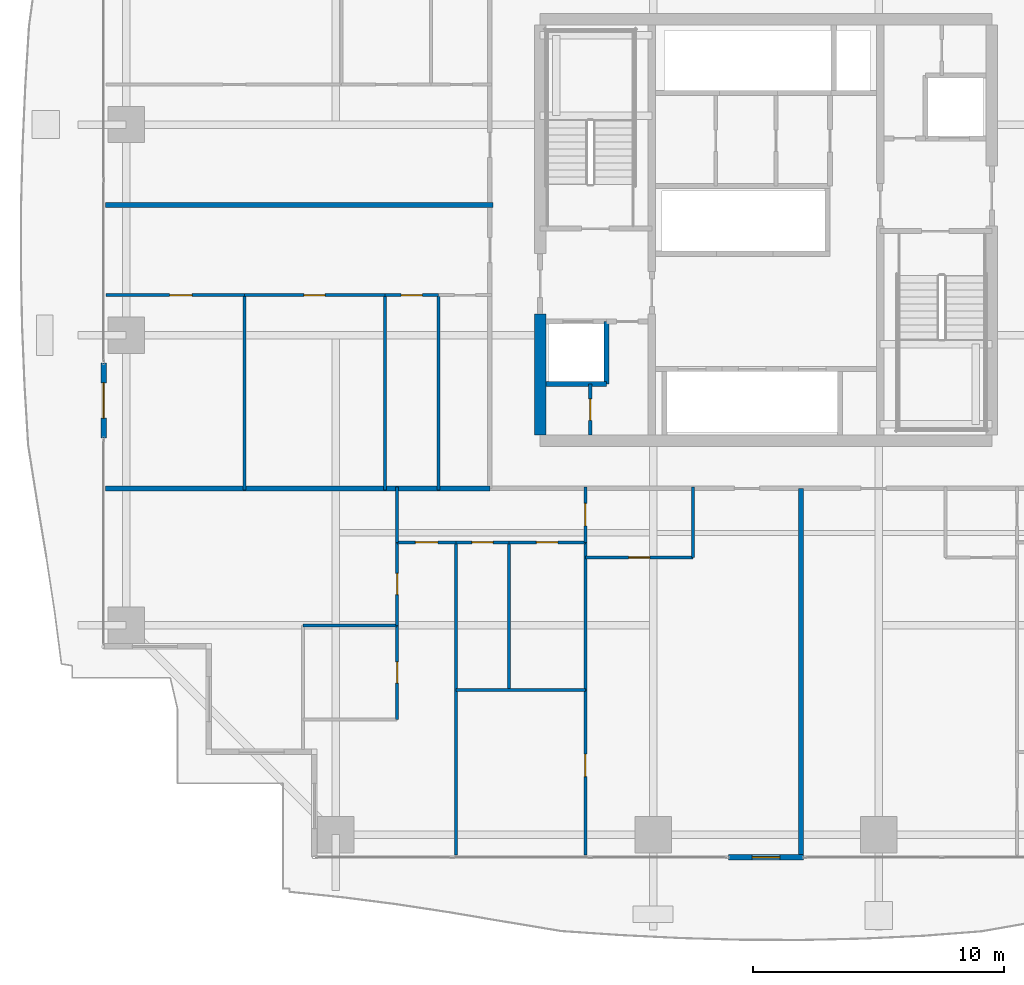
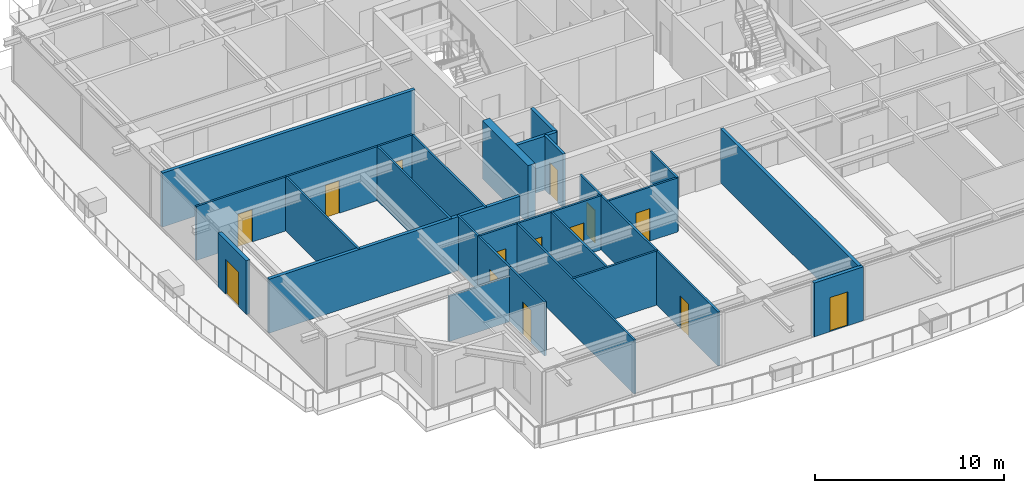
# One storey, part 26 of 39: 30 walls, 14 doors, 14 openings.
"""IFC4 building model written with IfcOpenShell, lengths in metres."""

from ifc_helpers import new_model, si_unit, direction, frame, frame_2d, origin, place, context, subcontext, project, spatial, rectangle, extrude, source, transform, mapped, material, layer, layer_set, type_object, element, fill, save


model = new_model("IFC4")

# Units and contexts
model_context = context("Model", 3, precision=1e-05, world=origin(), true_north=direction((0.0, 1.0)))
body_context = subcontext(model_context, "Body", "Model", "MODEL_VIEW")
ifc_project = project(units=[si_unit("LENGTHUNIT", "METRE"), si_unit("AREAUNIT", "SQUARE_METRE"), si_unit("VOLUMEUNIT", "CUBIC_METRE"), si_unit("PLANEANGLEUNIT", "RADIAN"), si_unit("MASSUNIT", "GRAM", prefix="KILO")], contexts=[model_context])

# Site, building, storey
site_placement = place(None, origin())
site = spatial("IfcSite", under=ifc_project, at=site_placement, CompositionType="ELEMENT")
building_placement = place(site_placement, origin())
building = spatial("IfcBuilding", under=site, at=building_placement, Name="Serunith Strait Residences", CompositionType="ELEMENT")
storey_placement = place(building_placement, frame((0.0, 0.0, 60.449951171875)))
storey = spatial("IfcBuildingStorey", under=building, at=storey_placement, Name="L14", CompositionType="ELEMENT", Elevation=60.449951171875)

# Wall, opening, door
ifc_material_1 = material(Name="Pale-Champagne Aluminium Insulated Panel", Category="aluminium")
ifc_layer_1 = layer(ifc_material_1, 0.219970703125, Name="Pale-Champagne Aluminium Insulated Panel")
ifc_layer_set_1 = layer_set([ifc_layer_1], Name="Pale-Champagne Aluminium Insulated Panel")
wall_type_1 = type_object("IfcWallType", Name="EW-ALUM-220", PredefinedType="ELEMENTEDWALL", material=ifc_layer_set_1)
wall_1_placement = place(storey_placement, frame((30.89990234375, 0.199951171875, 0.0), z_axis=(0.0, 0.0, 1.0), x_axis=(1.0, 0.0, 0.0)))
wall_1 = element("IfcWall", 1, at=wall_1_placement, inside=storey, type_object=wall_type_1, Name="L14 S Facade Pier Wall", PredefinedType="ELEMENTEDWALL", context=body_context, shape_type="SweptSolid", body=[
    extrude(rectangle(XDim=3.0, YDim=0.219970703125, at=frame_2d((1.5, 0.0))), origin(), (0.0, 0.0, 1.0), 3.47509765625),
])
opening_1_placement = place(wall_1_placement, frame((0.949951171875, 0.0, 0.0)))
opening_1 = element("IfcOpeningElement", 2, at=opening_1_placement, cuts=wall_1, Name="Opening ED-03", PredefinedType="OPENING", context=body_context, shape_type="SweptSolid", body=[
    extrude(rectangle(XDim=1.10009765625, YDim=2.199951171875, at=frame_2d((0.550048828125, 1.10009765625))), frame((0.0, 0.1201171875, 0.0), z_axis=(0.0, -1.0, 0.0), x_axis=(1.0, 0.0, 0.0)), (0.0, 0.0, 1.0), 0.239990234375),
])
ifc_material_2 = material(Name="Thermally-Broken Aluminium Glazed Balcony Door", Category="aluminium")
door_type_1 = type_object("IfcDoorType", Name="ED-BALC-1100", OperationType="NOTDEFINED", PredefinedType="DOOR", material=ifc_material_2)
shared_shape_1 = source(origin(), body_context, "Body", "SweptSolid", [
    extrude(rectangle(XDim=1.10009765625, YDim=2.199951171875, at=frame_2d((0.550048828125, 1.10009765625))), frame((0.0, 0.02490234375, 0.0), z_axis=(0.0, -1.0, 0.0), x_axis=(1.0, 0.0, 0.0)), (0.0, 0.0, 1.0), 0.050048828125),
])
door_1_placement = place(opening_1_placement, origin())
door_1 = element("IfcDoor", 3, at=door_1_placement, inside=storey, type_object=door_type_1, Name="L14 S Vertical-Forest Balcony Door", OperationType="SINGLE_SWING_LEFT", OverallHeight=2.199951171875, OverallWidth=1.10009765625, PredefinedType="DOOR", context=body_context, shape_type="MappedRepresentation", body=[
    mapped(shared_shape_1, transform((0.0, 0.0, 0.0), scale=1.0)),
])
fill(opening_1, door_1)

wall_2_placement = place(storey_placement, frame((6.0, 19.89990234375, 0.0), z_axis=(0.0, 0.0, 1.0), x_axis=(0.0, -1.0, 0.0)))
wall_2 = element("IfcWall", 4, at=wall_2_placement, inside=storey, type_object=wall_type_1, Name="L14 W Facade Pier Wall", PredefinedType="ELEMENTEDWALL", context=body_context, shape_type="SweptSolid", body=[
    extrude(rectangle(XDim=3.0, YDim=0.219970703125, at=frame_2d((1.5, 0.0))), origin(), (0.0, 0.0, 1.0), 3.47509765625),
])
opening_2_placement = place(wall_2_placement, frame((0.800048828125, 0.0, 0.0)))
opening_2 = element("IfcOpeningElement", 5, at=opening_2_placement, cuts=wall_2, Name="Opening ED-04", PredefinedType="OPENING", context=body_context, shape_type="SweptSolid", body=[
    extrude(rectangle(XDim=1.39990234375, YDim=2.25, at=frame_2d((0.699951171875, 1.125))), frame((0.0, 0.1201171875, 0.0), z_axis=(0.0, -1.0, 0.0), x_axis=(1.0, 0.0, 0.0)), (0.0, 0.0, 1.0), 0.239990234375),
])
ifc_material_3 = material(Name="Thermally-Broken Aluminium Sliding Balcony Door", Category="aluminium")
door_type_2 = type_object("IfcDoorType", Name="ED-BALC-1400", OperationType="NOTDEFINED", PredefinedType="DOOR", material=ifc_material_3)
shared_shape_2 = source(origin(), body_context, "Body", "SweptSolid", [
    extrude(rectangle(XDim=1.39990234375, YDim=2.25, at=frame_2d((0.699951171875, 1.125))), frame((0.0, 0.02490234375, 0.0), z_axis=(0.0, -1.0, 0.0), x_axis=(1.0, 0.0, 0.0)), (0.0, 0.0, 1.0), 0.050048828125),
])
door_2_placement = place(opening_2_placement, origin())
door_2 = element("IfcDoor", 6, at=door_2_placement, inside=storey, type_object=door_type_2, Name="L14 W Vertical-Forest Balcony Door", OperationType="SLIDING_TO_LEFT", OverallHeight=2.25, OverallWidth=1.39990234375, PredefinedType="DOOR", context=body_context, shape_type="MappedRepresentation", body=[
    mapped(shared_shape_2, transform((0.0, 0.0, 0.0), scale=1.0)),
])
fill(opening_2, door_2)

ifc_material_4 = material(Name="Fire-rated masonry service closet wall", Category="masonry")
ifc_layer_2 = layer(ifc_material_4, 0.14990234375, Name="Fire-rated masonry service closet wall")
ifc_layer_set_2 = layer_set([ifc_layer_2], Name="Fire-rated masonry service closet wall")
wall_type_2 = type_object("IfcWallType", Name="IW-BOH-150", PredefinedType="PARTITIONING", material=ifc_layer_set_2)
wall_3_placement = place(storey_placement, frame((25.39990234375, 17.02490234375, 0.0), z_axis=(0.0, 0.0, 1.0), x_axis=(0.0, 1.0, 0.0)))
wall_3 = element("IfcWall", 7, at=wall_3_placement, inside=storey, type_object=wall_type_2, Name="L14 Partition Wall 012", PredefinedType="PARTITIONING", context=body_context, shape_type="SweptSolid", body=[
    extrude(rectangle(XDim=2.025146484375, YDim=0.14990234375, at=frame_2d((1.0126953125, 0.0))), origin(), (0.0, 0.0, 1.0), 3.489990234375),
])
opening_3_placement = place(wall_3_placement, frame((0.587890625, 0.0, 0.0)))
opening_3 = element("IfcOpeningElement", 8, at=opening_3_placement, cuts=wall_3, Name="Opening FD-850", PredefinedType="OPENING", context=body_context, shape_type="SweptSolid", body=[
    extrude(rectangle(XDim=0.85009765625, YDim=2.10009765625, at=frame_2d((0.425048828125, 1.050048828125))), frame((0.0, 0.0849609375, 0.0), z_axis=(0.0, -1.0, 0.0), x_axis=(1.0, 0.0, 0.0)), (0.0, 0.0, 1.0), 0.169921875),
])
ifc_material_5 = material(Name="Powder-coated steel service closet door", Category="steel")
door_type_3 = type_object("IfcDoorType", Name="FD-BOH-850", OperationType="NOTDEFINED", PredefinedType="DOOR", material=ifc_material_5)
shared_shape_3 = source(origin(), body_context, "Body", "SweptSolid", [
    extrude(rectangle(XDim=0.85009765625, YDim=2.10009765625, at=frame_2d((0.425048828125, 1.050048828125))), frame((0.0, 0.02490234375, 0.0), z_axis=(0.0, -1.0, 0.0), x_axis=(1.0, 0.0, 0.0)), (0.0, 0.0, 1.0), 0.050048828125),
])
door_3_placement = place(opening_3_placement, origin())
door_3 = element("IfcDoor", 9, at=door_3_placement, inside=storey, type_object=door_type_3, Name="L14 Sprinkler Plant Door", OperationType="SINGLE_SWING_LEFT", OverallHeight=2.10009765625, OverallWidth=0.85009765625, PredefinedType="DOOR", context=body_context, shape_type="MappedRepresentation", body=[
    mapped(shared_shape_3, transform((0.0, 0.0, 0.0), scale=1.0)),
])
fill(opening_3, door_3)

ifc_material_6 = material(Name="Lightweight steel-stud gypsum partition", Category="steel")
ifc_layer_3 = layer(ifc_material_6, 0.1201171875, Name="Lightweight steel-stud gypsum partition")
ifc_layer_set_3 = layer_set([ifc_layer_3], Name="Lightweight steel-stud gypsum partition")
wall_type_3 = type_object("IfcWallType", Name="IW-PART-120", PredefinedType="PARTITIONING", material=ifc_layer_set_3)
wall_4_placement = place(storey_placement, frame((25.199951171875, 12.14990234375, 0.0), z_axis=(0.0, 0.0, 1.0), x_axis=(1.0, 0.0, 0.0)))
wall_4 = element("IfcWall", 10, at=wall_4_placement, inside=storey, type_object=wall_type_3, Name="L14 Partition Wall 030", PredefinedType="PARTITIONING", context=body_context, shape_type="SweptSolid", body=[
    extrude(rectangle(XDim=4.300048828125, YDim=0.1201171875, at=frame_2d((2.14990234375, 0.0))), origin(), (0.0, 0.0, 1.0), 3.489990234375),
])
opening_4_placement = place(wall_4_placement, frame((1.72509765625, 0.0, 0.0)))
opening_4 = element("IfcOpeningElement", 11, at=opening_4_placement, cuts=wall_4, Name="Opening D-RM850", PredefinedType="OPENING", context=body_context, shape_type="SweptSolid", body=[
    extrude(rectangle(XDim=0.85009765625, YDim=2.10009765625, at=frame_2d((0.425048828125, 1.050048828125))), frame((0.0, 0.070068359375, 0.0), z_axis=(0.0, -1.0, 0.0), x_axis=(1.0, 0.0, 0.0)), (0.0, 0.0, 1.0), 0.14013671875),
])
ifc_material_7 = material(Name="Engineered timber flush study and kitchen door", Category="wood")
door_type_4 = type_object("IfcDoorType", Name="ID-ROOM-850", OperationType="NOTDEFINED", PredefinedType="DOOR", material=ifc_material_7)
door_4_placement = place(opening_4_placement, origin())
door_4 = element("IfcDoor", 12, at=door_4_placement, inside=storey, type_object=door_type_4, Name="L14 Kitchen 1401 Door", OperationType="SINGLE_SWING_LEFT", OverallHeight=2.10009765625, OverallWidth=0.85009765625, PredefinedType="DOOR", context=body_context, shape_type="MappedRepresentation", body=[
    mapped(shared_shape_3, transform((0.0, 0.0, 0.0), scale=1.0)),
])
fill(opening_4, door_4)

# Wall
wall_5_placement = place(storey_placement, frame((29.5, 12.14990234375, 0.0), z_axis=(0.0, 0.0, 1.0), x_axis=(0.0, 1.0, 0.0)))
element("IfcWall", 13, at=wall_5_placement, inside=storey, type_object=wall_type_3, Name="L14 Partition Wall 031", PredefinedType="PARTITIONING", context=body_context, shape_type="SweptSolid", body=[
    extrude(rectangle(XDim=2.81005859375, YDim=0.1201171875, at=frame_2d((1.405029296875, 0.0))), origin(), (0.0, 0.0, 1.0), 3.489990234375),
])

# Wall, opening, door
wall_6_placement = place(storey_placement, frame((25.199951171875, 12.75, 0.0), z_axis=(0.0, 0.0, 1.0), x_axis=(0.0, 1.0, 0.0)))
wall_6 = element("IfcWall", 14, at=wall_6_placement, inside=storey, type_object=wall_type_3, Name="L14 Partition Wall 032", PredefinedType="PARTITIONING", context=body_context, shape_type="SweptSolid", body=[
    extrude(rectangle(XDim=2.2099609375, YDim=0.1201171875, at=frame_2d((1.10498046875, 0.0))), origin(), (0.0, 0.0, 1.0), 3.489990234375),
])
opening_5_placement = place(wall_6_placement, frame((0.655029296875, 0.0, 0.0)))
opening_5 = element("IfcOpeningElement", 15, at=opening_5_placement, cuts=wall_6, Name="Opening D-RM900", PredefinedType="OPENING", context=body_context, shape_type="SweptSolid", body=[
    extrude(rectangle(XDim=0.89990234375, YDim=2.10009765625, at=frame_2d((0.449951171875, 1.050048828125))), frame((0.0, 0.070068359375, 0.0), z_axis=(0.0, -1.0, 0.0), x_axis=(1.0, 0.0, 0.0)), (0.0, 0.0, 1.0), 0.14013671875),
])
ifc_material_8 = material(Name="Engineered timber flush bedroom door", Category="wood")
door_type_5 = type_object("IfcDoorType", Name="ID-ROOM-900", OperationType="NOTDEFINED", PredefinedType="DOOR", material=ifc_material_8)
shared_shape_4 = source(origin(), body_context, "Body", "SweptSolid", [
    extrude(rectangle(XDim=0.89990234375, YDim=2.10009765625, at=frame_2d((0.449951171875, 1.050048828125))), frame((0.0, 0.02490234375, 0.0), z_axis=(0.0, -1.0, 0.0), x_axis=(1.0, 0.0, 0.0)), (0.0, 0.0, 1.0), 0.050048828125),
])
door_5_placement = place(opening_5_placement, origin())
door_5 = element("IfcDoor", 16, at=door_5_placement, inside=storey, type_object=door_type_5, Name="L14 Hall W 1401 Door", OperationType="SINGLE_SWING_RIGHT", OverallHeight=2.10009765625, OverallWidth=0.89990234375, PredefinedType="DOOR", context=body_context, shape_type="MappedRepresentation", body=[
    mapped(shared_shape_4, transform((0.0, 0.0, 0.0), scale=1.0)),
])
fill(opening_5, door_5)

wall_7_placement = place(storey_placement, frame((25.199951171875, 0.294921875, 0.0), z_axis=(0.0, 0.0, 1.0), x_axis=(0.0, 1.0, 0.0)))
wall_7 = element("IfcWall", 17, at=wall_7_placement, inside=storey, type_object=wall_type_3, Name="L14 Partition Wall 033", PredefinedType="PARTITIONING", context=body_context, shape_type="SweptSolid", body=[
    extrude(rectangle(XDim=6.565185546875, YDim=0.1201171875, at=frame_2d((3.28271484375, 0.0))), origin(), (0.0, 0.0, 1.0), 3.489990234375),
])
opening_6_placement = place(wall_7_placement, frame((3.115966796875, 0.0, 0.0)))
opening_6 = element("IfcOpeningElement", 18, at=opening_6_placement, cuts=wall_7, Name="Opening D-RM900", PredefinedType="OPENING", context=body_context, shape_type="SweptSolid", body=[
    extrude(rectangle(XDim=0.89990234375, YDim=2.10009765625, at=frame_2d((0.449951171875, 1.050048828125))), frame((0.0, 0.070068359375, 0.0), z_axis=(0.0, -1.0, 0.0), x_axis=(1.0, 0.0, 0.0)), (0.0, 0.0, 1.0), 0.14013671875),
])
door_6_placement = place(opening_6_placement, origin())
door_6 = element("IfcDoor", 19, at=door_6_placement, inside=storey, type_object=door_type_5, Name="L14 Formal Dining Room 1 1401 Door", OperationType="SINGLE_SWING_LEFT", OverallHeight=2.10009765625, OverallWidth=0.89990234375, PredefinedType="DOOR", context=body_context, shape_type="MappedRepresentation", body=[
    mapped(shared_shape_4, transform((0.0, 0.0, 0.0), scale=1.0)),
])
fill(opening_6, door_6)

# Walls
wall_8_placement = place(storey_placement, frame((25.199951171875, 6.862060546875, 0.0), z_axis=(0.0, 0.0, 1.0), x_axis=(0.0, 1.0, 0.0)))
element("IfcWall", 20, at=wall_8_placement, inside=storey, type_object=wall_type_3, Name="L14 Partition Wall 034", PredefinedType="PARTITIONING", context=body_context, shape_type="SweptSolid", body=[
    extrude(rectangle(XDim=5.885986328125, YDim=0.1201171875, at=frame_2d((2.94287109375, 0.0))), origin(), (0.0, 0.0, 1.0), 3.489990234375),
])
wall_9_placement = place(storey_placement, frame((20.050048828125, 6.860107421875, 0.0), z_axis=(0.0, 0.0, 1.0), x_axis=(1.0, 0.0, 0.0)))
element("IfcWall", 21, at=wall_9_placement, inside=storey, type_object=wall_type_3, Name="L14 Partition Wall 035", PredefinedType="PARTITIONING", context=body_context, shape_type="SweptSolid", body=[
    extrude(rectangle(XDim=5.14990234375, YDim=0.1201171875, at=frame_2d((2.574951171875, 0.0))), origin(), (0.0, 0.0, 1.0), 3.489990234375),
])
wall_10_placement = place(storey_placement, frame((20.050048828125, 0.294921875, 0.0), z_axis=(0.0, 0.0, 1.0), x_axis=(0.0, 1.0, 0.0)))
element("IfcWall", 22, at=wall_10_placement, inside=storey, type_object=wall_type_3, Name="L14 Partition Wall 036", PredefinedType="PARTITIONING", context=body_context, shape_type="SweptSolid", body=[
    extrude(rectangle(XDim=12.455078125, YDim=0.1201171875, at=frame_2d((6.2275390625, 0.0))), origin(), (0.0, 0.0, 1.0), 3.489990234375),
])
wall_11_placement = place(storey_placement, frame((22.14990234375, 6.860107421875, 0.0), z_axis=(0.0, 0.0, 1.0), x_axis=(0.0, 1.0, 0.0)))
element("IfcWall", 23, at=wall_11_placement, inside=storey, type_object=wall_type_3, Name="L14 Partition Wall 037", PredefinedType="PARTITIONING", context=body_context, shape_type="SweptSolid", body=[
    extrude(rectangle(XDim=5.889892578125, YDim=0.1201171875, at=frame_2d((2.94482421875, 0.0))), origin(), (0.0, 0.0, 1.0), 3.489990234375),
])

# Wall, opening, door
wall_12_placement = place(storey_placement, frame((20.050048828125, 12.75, 0.0), z_axis=(0.0, 0.0, 1.0), x_axis=(1.0, 0.0, 0.0)))
wall_12 = element("IfcWall", 24, at=wall_12_placement, inside=storey, type_object=wall_type_3, Name="L14 Partition Wall 038", PredefinedType="PARTITIONING", context=body_context, shape_type="SweptSolid", body=[
    extrude(rectangle(XDim=2.099853515625, YDim=0.1201171875, at=frame_2d((1.0498046875, 0.0))), origin(), (0.0, 0.0, 1.0), 3.489990234375),
])
opening_7_placement = place(wall_12_placement, frame((0.625, 0.0, 0.0)))
opening_7 = element("IfcOpeningElement", 25, at=opening_7_placement, cuts=wall_12, Name="Opening D-BTH850", PredefinedType="OPENING", context=body_context, shape_type="SweptSolid", body=[
    extrude(rectangle(XDim=0.85009765625, YDim=2.10009765625, at=frame_2d((0.425048828125, 1.050048828125))), frame((0.0, 0.070068359375, 0.0), z_axis=(0.0, -1.0, 0.0), x_axis=(1.0, 0.0, 0.0)), (0.0, 0.0, 1.0), 0.14013671875),
])
ifc_material_9 = material(Name="Moisture-resistant timber bathroom door", Category="wood")
door_type_6 = type_object("IfcDoorType", Name="ID-BATH-850", OperationType="NOTDEFINED", PredefinedType="DOOR", material=ifc_material_9)
door_7_placement = place(opening_7_placement, origin())
door_7 = element("IfcDoor", 26, at=door_7_placement, inside=storey, type_object=door_type_6, Name="L14 Bathroom 1401 Door", OperationType="SINGLE_SWING_RIGHT", OverallHeight=2.10009765625, OverallWidth=0.85009765625, PredefinedType="DOOR", context=body_context, shape_type="MappedRepresentation", body=[
    mapped(shared_shape_3, transform((0.0, 0.0, 0.0), scale=1.0)),
])
fill(opening_7, door_7)

wall_13_placement = place(storey_placement, frame((22.152099609375, 12.75, 0.0), z_axis=(0.0, 0.0, 1.0), x_axis=(1.0, 0.0, 0.0)))
wall_13 = element("IfcWall", 27, at=wall_13_placement, inside=storey, type_object=wall_type_3, Name="L14 Partition Wall 039", PredefinedType="PARTITIONING", context=body_context, shape_type="SweptSolid", body=[
    extrude(rectangle(XDim=3.0478515625, YDim=0.1201171875, at=frame_2d((1.52392578125, 0.0))), origin(), (0.0, 0.0, 1.0), 3.489990234375),
])
opening_8_placement = place(wall_13_placement, frame((1.09912109375, 0.0, 0.0)))
opening_8 = element("IfcOpeningElement", 28, at=opening_8_placement, cuts=wall_13, Name="Opening D-RM850", PredefinedType="OPENING", context=body_context, shape_type="SweptSolid", body=[
    extrude(rectangle(XDim=0.85009765625, YDim=2.10009765625, at=frame_2d((0.425048828125, 1.050048828125))), frame((0.0, 0.070068359375, 0.0), z_axis=(0.0, -1.0, 0.0), x_axis=(1.0, 0.0, 0.0)), (0.0, 0.0, 1.0), 0.14013671875),
])
door_8_placement = place(opening_8_placement, origin())
door_8 = element("IfcDoor", 29, at=door_8_placement, inside=storey, type_object=door_type_4, Name="L14 Formal Dining Room 1401 Door", OperationType="SINGLE_SWING_LEFT", OverallHeight=2.10009765625, OverallWidth=0.85009765625, PredefinedType="DOOR", context=body_context, shape_type="MappedRepresentation", body=[
    mapped(shared_shape_3, transform((0.0, 0.0, 0.0), scale=1.0)),
])
fill(opening_8, door_8)

wall_14_placement = place(storey_placement, frame((17.699951171875, 12.75, 0.0), z_axis=(0.0, 0.0, 1.0), x_axis=(1.0, 0.0, 0.0)))
wall_14 = element("IfcWall", 30, at=wall_14_placement, inside=storey, type_object=wall_type_3, Name="L14 Partition Wall 040", PredefinedType="PARTITIONING", context=body_context, shape_type="SweptSolid", body=[
    extrude(rectangle(XDim=2.34814453125, YDim=0.1201171875, at=frame_2d((1.174072265625, 0.0))), origin(), (0.0, 0.0, 1.0), 3.489990234375),
])
opening_9_placement = place(wall_14_placement, frame((0.72412109375, 0.0, 0.0)))
opening_9 = element("IfcOpeningElement", 31, at=opening_9_placement, cuts=wall_14, Name="Opening D-RM900", PredefinedType="OPENING", context=body_context, shape_type="SweptSolid", body=[
    extrude(rectangle(XDim=0.89990234375, YDim=2.10009765625, at=frame_2d((0.449951171875, 1.050048828125))), frame((0.0, 0.070068359375, 0.0), z_axis=(0.0, -1.0, 0.0), x_axis=(1.0, 0.0, 0.0)), (0.0, 0.0, 1.0), 0.14013671875),
])
door_9_placement = place(opening_9_placement, origin())
door_9 = element("IfcDoor", 32, at=door_9_placement, inside=storey, type_object=door_type_5, Name="L14 Master Bedroom W 1401 Door", OperationType="SINGLE_SWING_RIGHT", OverallHeight=2.10009765625, OverallWidth=0.89990234375, PredefinedType="DOOR", context=body_context, shape_type="MappedRepresentation", body=[
    mapped(shared_shape_4, transform((0.0, 0.0, 0.0), scale=1.0)),
])
fill(opening_9, door_9)

# Wall
wall_15_placement = place(storey_placement, frame((13.949951171875, 9.426025390625, 0.0), z_axis=(0.0, 0.0, 1.0), x_axis=(1.0, 0.0, 0.0)))
element("IfcWall", 33, at=wall_15_placement, inside=storey, type_object=wall_type_3, Name="L14 Partition Wall 043", PredefinedType="PARTITIONING", context=body_context, shape_type="SweptSolid", body=[
    extrude(rectangle(XDim=3.75, YDim=0.1201171875, at=frame_2d((1.875, 0.0))), origin(), (0.0, 0.0, 1.0), 2.922119140625),
])

# Wall, opening, door
wall_16_placement = place(storey_placement, frame((17.699951171875, 5.693115234375, 0.0), z_axis=(0.0, 0.0, 1.0), x_axis=(0.0, 1.0, 0.0)))
wall_16 = element("IfcWall", 34, at=wall_16_placement, inside=storey, type_object=wall_type_3, Name="L14 Partition Wall 044", PredefinedType="PARTITIONING", context=body_context, shape_type="SweptSolid", body=[
    extrude(rectangle(XDim=3.73291015625, YDim=0.1201171875, at=frame_2d((1.866455078125, 0.0))), origin(), (0.0, 0.0, 1.0), 3.489990234375),
])
opening_10_placement = place(wall_16_placement, frame((1.44189453125, 0.0, 0.0)))
opening_10 = element("IfcOpeningElement", 35, at=opening_10_placement, cuts=wall_16, Name="Opening D-BTH850", PredefinedType="OPENING", context=body_context, shape_type="SweptSolid", body=[
    extrude(rectangle(XDim=0.85009765625, YDim=2.10009765625, at=frame_2d((0.425048828125, 1.050048828125))), frame((0.0, 0.070068359375, 0.0), z_axis=(0.0, -1.0, 0.0), x_axis=(1.0, 0.0, 0.0)), (0.0, 0.0, 1.0), 0.14013671875),
])
door_10_placement = place(opening_10_placement, origin())
door_10 = element("IfcDoor", 36, at=door_10_placement, inside=storey, type_object=door_type_6, Name="L14 En-suite Bathroom W 1401 Door", OperationType="SINGLE_SWING_LEFT", OverallHeight=2.10009765625, OverallWidth=0.85009765625, PredefinedType="DOOR", context=body_context, shape_type="MappedRepresentation", body=[
    mapped(shared_shape_3, transform((0.0, 0.0, 0.0), scale=1.0)),
])
fill(opening_10, door_10)

wall_17_placement = place(storey_placement, frame((17.699951171875, 9.427978515625, 0.0), z_axis=(0.0, 0.0, 1.0), x_axis=(0.0, 1.0, 0.0)))
wall_17 = element("IfcWall", 37, at=wall_17_placement, inside=storey, type_object=wall_type_3, Name="L14 Partition Wall 045", PredefinedType="PARTITIONING", context=body_context, shape_type="SweptSolid", body=[
    extrude(rectangle(XDim=3.322021484375, YDim=0.1201171875, at=frame_2d((1.6611328125, 0.0))), origin(), (0.0, 0.0, 1.0), 3.489990234375),
])
opening_11_placement = place(wall_17_placement, frame((1.236083984375, 0.0, 0.0)))
opening_11 = element("IfcOpeningElement", 38, at=opening_11_placement, cuts=wall_17, Name="Opening D-RM850", PredefinedType="OPENING", context=body_context, shape_type="SweptSolid", body=[
    extrude(rectangle(XDim=0.85009765625, YDim=2.10009765625, at=frame_2d((0.425048828125, 1.050048828125))), frame((0.0, 0.070068359375, 0.0), z_axis=(0.0, -1.0, 0.0), x_axis=(1.0, 0.0, 0.0)), (0.0, 0.0, 1.0), 0.14013671875),
])
door_11_placement = place(opening_11_placement, origin())
door_11 = element("IfcDoor", 39, at=door_11_placement, inside=storey, type_object=door_type_4, Name="L14 Wardrobe W 1401 Door", OperationType="SINGLE_SWING_RIGHT", OverallHeight=2.10009765625, OverallWidth=0.85009765625, PredefinedType="DOOR", context=body_context, shape_type="MappedRepresentation", body=[
    mapped(shared_shape_3, transform((0.0, 0.0, 0.0), scale=1.0)),
])
fill(opening_11, door_11)

# Wall
wall_18_placement = place(storey_placement, frame((17.699951171875, 12.751953125, 0.0), z_axis=(0.0, 0.0, 1.0), x_axis=(0.0, 1.0, 0.0)))
element("IfcWall", 40, at=wall_18_placement, inside=storey, type_object=wall_type_3, Name="L14 Partition Wall 046", PredefinedType="PARTITIONING", context=body_context, shape_type="SweptSolid", body=[
    extrude(rectangle(XDim=2.2080078125, YDim=0.1201171875, at=frame_2d((1.10400390625, 0.0))), origin(), (0.0, 0.0, 1.0), 3.489990234375),
])

# Wall, opening, door
wall_19_placement = place(storey_placement, frame((6.094970703125, 22.60009765625, 0.0), z_axis=(0.0, 0.0, 1.0), x_axis=(1.0, 0.0, 0.0)))
wall_19 = element("IfcWall", 41, at=wall_19_placement, inside=storey, type_object=wall_type_3, Name="L14 Partition Wall 102", PredefinedType="PARTITIONING", context=body_context, shape_type="SweptSolid", body=[
    extrude(rectangle(XDim=5.513916015625, YDim=0.1201171875, at=frame_2d((2.7568359375, 0.0))), origin(), (0.0, 0.0, 1.0), 3.489990234375),
])
opening_12_placement = place(wall_19_placement, frame((2.5380859375, 0.0, 0.0)))
opening_12 = element("IfcOpeningElement", 42, at=opening_12_placement, cuts=wall_19, Name="Opening D-RM900", PredefinedType="OPENING", context=body_context, shape_type="SweptSolid", body=[
    extrude(rectangle(XDim=0.89990234375, YDim=2.10009765625, at=frame_2d((0.449951171875, 1.050048828125))), frame((0.0, 0.070068359375, 0.0), z_axis=(0.0, -1.0, 0.0), x_axis=(1.0, 0.0, 0.0)), (0.0, 0.0, 1.0), 0.14013671875),
])
door_12_placement = place(opening_12_placement, origin())
door_12 = element("IfcDoor", 43, at=door_12_placement, inside=storey, type_object=door_type_5, Name="L14 Master Bedroom 1 1406 Door", OperationType="SINGLE_SWING_LEFT", OverallHeight=2.10009765625, OverallWidth=0.89990234375, PredefinedType="DOOR", context=body_context, shape_type="MappedRepresentation", body=[
    mapped(shared_shape_4, transform((0.0, 0.0, 0.0), scale=1.0)),
])
fill(opening_12, door_12)

# Walls
for number, where, z_axis, x_axis, name in (
    (44, (11.60888671875, 14.840087890625, 0.0), (0.0, 0.0, 1.0), (0.0, 1.0, 0.0), "L14 Partition Wall 103"),
    (45, (17.20703125, 14.840087890625, 0.0), (0.0, 0.0, 1.0), (0.0, 1.0, 0.0), "L14 Partition Wall 104"),
    (46, (19.35009765625, 14.840087890625, 0.0), (0.0, 0.0, 1.0), (0.0, 1.0, 0.0), "L14 Partition Wall 105"),
):
    element("IfcWall", number, at=place(storey_placement, frame(where, z_axis=z_axis, x_axis=x_axis)), inside=storey, type_object=wall_type_3, Name=name, PredefinedType="PARTITIONING", context=body_context, shape_type="SweptSolid", body=[
        extrude(rectangle(XDim=7.760009765625, YDim=0.1201171875, at=frame_2d((3.8798828125, 0.0))), origin(), (0.0, 0.0, 1.0), 3.489990234375),
    ])

# Wall, opening, door
wall_20_placement = place(storey_placement, frame((11.611083984375, 22.60009765625, 0.0), z_axis=(0.0, 0.0, 1.0), x_axis=(1.0, 0.0, 0.0)))
wall_20 = element("IfcWall", 47, at=wall_20_placement, inside=storey, type_object=wall_type_3, Name="L14 Partition Wall 106", PredefinedType="PARTITIONING", context=body_context, shape_type="SweptSolid", body=[
    extrude(rectangle(XDim=5.595947265625, YDim=0.1201171875, at=frame_2d((2.7978515625, 0.0))), origin(), (0.0, 0.0, 1.0), 3.489990234375),
])
opening_13_placement = place(wall_20_placement, frame((2.373046875, 0.0, 0.0)))
opening_13 = element("IfcOpeningElement", 48, at=opening_13_placement, cuts=wall_20, Name="Opening D-RM850", PredefinedType="OPENING", context=body_context, shape_type="SweptSolid", body=[
    extrude(rectangle(XDim=0.85009765625, YDim=2.10009765625, at=frame_2d((0.425048828125, 1.050048828125))), frame((0.0, 0.070068359375, 0.0), z_axis=(0.0, -1.0, 0.0), x_axis=(1.0, 0.0, 0.0)), (0.0, 0.0, 1.0), 0.14013671875),
])
door_13_placement = place(opening_13_placement, origin())
door_13 = element("IfcDoor", 49, at=door_13_placement, inside=storey, type_object=door_type_4, Name="L14 Dining 1406 Door", OperationType="SINGLE_SWING_RIGHT", OverallHeight=2.10009765625, OverallWidth=0.85009765625, PredefinedType="DOOR", context=body_context, shape_type="MappedRepresentation", body=[
    mapped(shared_shape_3, transform((0.0, 0.0, 0.0), scale=1.0)),
])
fill(opening_13, door_13)

wall_21_placement = place(storey_placement, frame((17.208984375, 22.60009765625, 0.0), z_axis=(0.0, 0.0, 1.0), x_axis=(1.0, 0.0, 0.0)))
wall_21 = element("IfcWall", 50, at=wall_21_placement, inside=storey, type_object=wall_type_3, Name="L14 Partition Wall 107", PredefinedType="PARTITIONING", context=body_context, shape_type="SweptSolid", body=[
    extrude(rectangle(XDim=2.14111328125, YDim=0.1201171875, at=frame_2d((1.070556640625, 0.0))), origin(), (0.0, 0.0, 1.0), 3.489990234375),
])
opening_14_placement = place(wall_21_placement, frame((0.64599609375, 0.0, 0.0)))
opening_14 = element("IfcOpeningElement", 51, at=opening_14_placement, cuts=wall_21, Name="Opening D-RM850", PredefinedType="OPENING", context=body_context, shape_type="SweptSolid", body=[
    extrude(rectangle(XDim=0.85009765625, YDim=2.10009765625, at=frame_2d((0.425048828125, 1.050048828125))), frame((0.0, 0.070068359375, 0.0), z_axis=(0.0, -1.0, 0.0), x_axis=(1.0, 0.0, 0.0)), (0.0, 0.0, 1.0), 0.14013671875),
])
door_14_placement = place(opening_14_placement, origin())
door_14 = element("IfcDoor", 52, at=door_14_placement, inside=storey, type_object=door_type_4, Name="L14 Kitchen 1406 Door", OperationType="SINGLE_SWING_LEFT", OverallHeight=2.10009765625, OverallWidth=0.85009765625, PredefinedType="DOOR", context=body_context, shape_type="MappedRepresentation", body=[
    mapped(shared_shape_3, transform((0.0, 0.0, 0.0), scale=1.0)),
])
fill(opening_14, door_14)

# Walls
ifc_material_10 = material(Name="Twin-stud acoustic gypsum board partition")
ifc_layer_4 = layer(ifc_material_10, 0.199951171875, Name="Twin-stud acoustic gypsum board partition")
ifc_layer_set_4 = layer_set([ifc_layer_4], Name="Twin-stud acoustic gypsum board partition")
wall_type_4 = type_object("IfcWallType", Name="IW-PARTY-200", PredefinedType="PARTITIONING", material=ifc_layer_set_4)
wall_22_placement = place(storey_placement, frame((33.800048828125, 0.281982421875, 0.0), z_axis=(0.0, 0.0, 1.0), x_axis=(0.0, 1.0, 0.0)))
element("IfcWall", 53, at=wall_22_placement, inside=storey, type_object=wall_type_4, Name="L14 Partition Wall 017", PredefinedType="PARTITIONING", context=body_context, shape_type="SweptSolid", body=[
    extrude(rectangle(XDim=14.617919921875, YDim=0.199951171875, at=frame_2d((7.30908203125, 0.0))), origin(), (0.0, 0.0, 1.0), 3.489990234375),
])
wall_23_placement = place(storey_placement, frame((6.08203125, 26.199951171875, 0.0), z_axis=(0.0, 0.0, 1.0), x_axis=(1.0, 0.0, 0.0)))
element("IfcWall", 54, at=wall_23_placement, inside=storey, type_object=wall_type_4, Name="L14 Partition Wall 020", PredefinedType="PARTITIONING", context=body_context, shape_type="SweptSolid", body=[
    extrude(rectangle(XDim=15.43798828125, YDim=0.199951171875, at=frame_2d((7.718994140625, 0.0))), origin(), (0.0, 0.0, 1.0), 3.489990234375),
])
wall_24_placement = place(storey_placement, frame((6.08203125, 14.89990234375, 0.0), z_axis=(0.0, 0.0, 1.0), x_axis=(1.0, 0.0, 0.0)))
element("IfcWall", 55, at=wall_24_placement, inside=storey, type_object=wall_type_4, Name="L14 Partition Wall 022", PredefinedType="PARTITIONING", context=body_context, shape_type="SweptSolid", body=[
    extrude(rectangle(XDim=15.31787109375, YDim=0.199951171875, at=frame_2d((7.658935546875, 0.0))), origin(), (0.0, 0.0, 1.0), 3.489990234375),
])
ifc_material_11 = material(Name="Autoclaved aerated concrete blockwork", Category="masonry")
ifc_layer_5 = layer(ifc_material_11, 0.199951171875, Name="Autoclaved aerated concrete blockwork")
ifc_layer_set_5 = layer_set([ifc_layer_5], Name="Autoclaved aerated concrete blockwork")
wall_type_5 = type_object("IfcWallType", Name="IW-SHAFT-200", PredefinedType="STANDARD", material=ifc_layer_set_5)
wall_25_placement = place(storey_placement, frame((26.050048828125, 19.050048828125, 0.0), z_axis=(0.0, 0.0, 1.0), x_axis=(0.0, 1.0, 0.0)))
element("IfcWall", 56, at=wall_25_placement, inside=storey, type_object=wall_type_5, Name="L14 Partition Wall 001", PredefinedType="STANDARD", context=body_context, shape_type="SweptSolid", body=[
    extrude(rectangle(XDim=2.5, YDim=0.199951171875, at=frame_2d((1.25, 0.0))), origin(), (0.0, 0.0, 1.0), 3.489990234375),
])
wall_26_placement = place(storey_placement, frame((23.625, 19.050048828125, 0.0), z_axis=(0.0, 0.0, 1.0), x_axis=(1.0, 0.0, 0.0)))
element("IfcWall", 57, at=wall_26_placement, inside=storey, type_object=wall_type_5, Name="L14 Partition Wall 002", PredefinedType="STANDARD", context=body_context, shape_type="SweptSolid", body=[
    extrude(rectangle(XDim=2.425048828125, YDim=0.199951171875, at=frame_2d((1.21240234375, 0.0))), origin(), (0.0, 0.0, 1.0), 3.489990234375),
])
ifc_material_12 = material(Name="Concrete C80/95", Category="concrete")
ifc_layer_6 = layer(ifc_material_12, 0.449951171875, Name="Concrete C80/95")
ifc_layer_set_6 = layer_set([ifc_layer_6], Name="Concrete C80/95")
wall_type_6 = type_object("IfcWallType", Name="SW-450-C80", PredefinedType="SHEAR", material=ifc_layer_set_6)
wall_27_placement = place(storey_placement, frame((23.39990234375, 17.02490234375, -0.260009765625), z_axis=(0.0, 0.0, 1.0), x_axis=(0.0, 1.0, 0.0)))
element("IfcWall", 58, at=wall_27_placement, inside=storey, type_object=wall_type_6, Name="L14 Core West Shear Wall South Pier", PredefinedType="SHEAR", context=body_context, shape_type="SweptSolid", body=[
    extrude(rectangle(XDim=4.8251953125, YDim=0.449951171875, at=frame_2d((2.41259765625, 0.0))), origin(), (0.0, 0.0, 1.0), 3.748046875),
])

save(model, "model.ifc")
